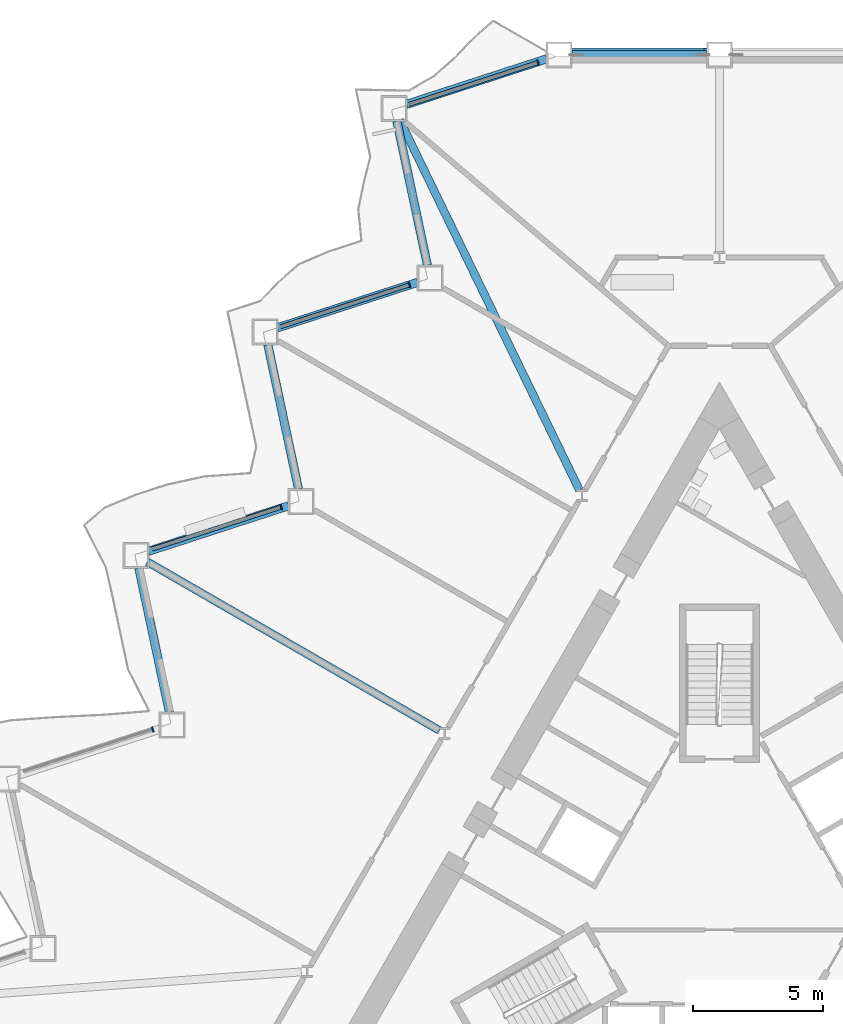
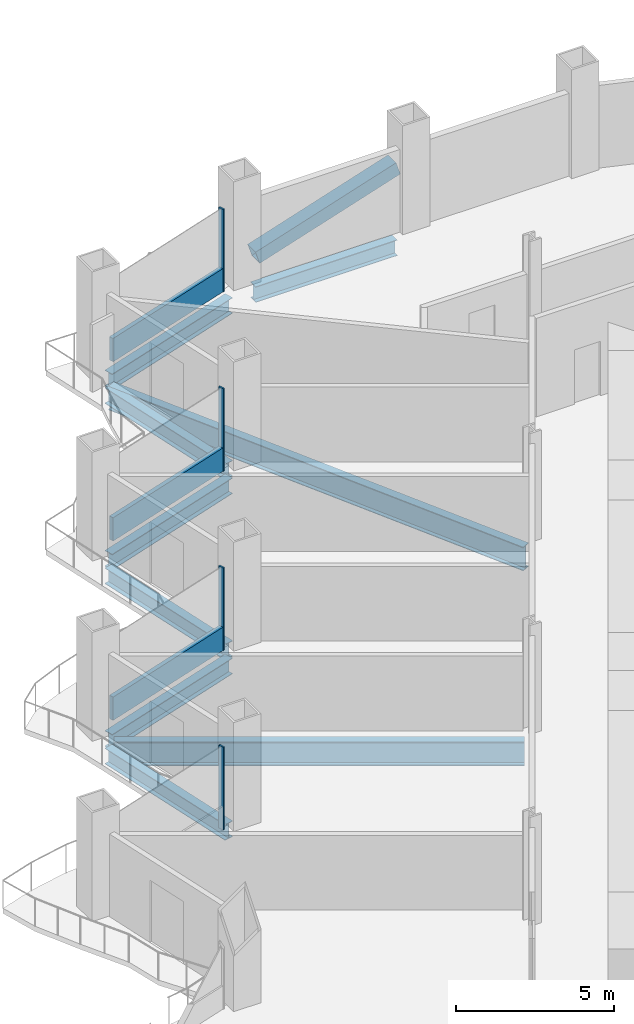
# One storey, part 6 of 21: 9 beams, 8 members, 4 elements without a shape of their own.
"""IFC4 building model written with IfcOpenShell, lengths in metres."""

import ifcopenshell
import ifcopenshell.guid

model = None  # the IFC model being written
_history = None  # IfcOwnerHistory: only IFC2X3 demands one
_inside = {}  # id of a spatial element -> (the spatial element, [elements in it])
_under = {}  # id of a project, library or spatial element -> (it, [spatial elements below it])
_declared = {}  # id of a project -> (the project, [libraries it declares])
_typed = {}  # id of a type object -> (the type object, [elements of that type])
_made_of = {}  # id of a material, layer set ... -> (it, [elements and type objects made of it])


def new_model(schema):
    """Start an empty IFC model of exactly this schema.

    Asked for "IFC4X3", IfcOpenShell would pick the latest addendum, in which some entities
    have other attributes; the version numbers below select the first issue.
    IFC2X3 requires an IfcOwnerHistory on every rooted entity: one is made here for all.
    """
    global model, _history
    if schema == "IFC4X3":
        model = ifcopenshell.file(schema_version=(4, 3, 0, 0))
    else:
        model = ifcopenshell.file(schema=schema)
    _inside.clear()
    _under.clear()
    _declared.clear()
    _typed.clear()
    _made_of.clear()
    _history = None
    if model.schema == "IFC2X3":
        org = make("IfcOrganization", Name="unknown")
        user = make(
            "IfcPersonAndOrganization",
            ThePerson=make("IfcPerson", FamilyName="unknown"),
            TheOrganization=org,
        )
        app = make(
            "IfcApplication",
            ApplicationDeveloper=org,
            Version="unknown",
            ApplicationFullName="unknown",
            ApplicationIdentifier="unknown",
        )
        _history = make(
            "IfcOwnerHistory",
            OwningUser=user,
            OwningApplication=app,
            ChangeAction="ADDED",
            CreationDate=0,
        )
    return model


def make(cls, **values):
    """One entity of the class cls with the attributes given. An attribute that is None is left unset."""
    return model.create_entity(
        cls, **{name: value for name, value in values.items() if value is not None}
    )


def rooted(cls, **values):
    """An entity with a GlobalId (a new one), such as an element, a storey or a relation."""
    return make(cls, GlobalId=ifcopenshell.guid.new(), OwnerHistory=_history, **values)


def si_unit(unit_type, name, prefix=None):
    """IfcSIUnit, for example si_unit("LENGTHUNIT", "METRE", prefix="MILLI")."""
    return make("IfcSIUnit", UnitType=unit_type, Prefix=prefix, Name=name)


def assignment(units):
    """IfcUnitAssignment: the units of a project."""
    return None if units is None else make("IfcUnitAssignment", Units=units)


def point(xyz):
    """IfcCartesianPoint."""
    return None if xyz is None else make("IfcCartesianPoint", Coordinates=xyz)


def direction(xyz):
    """IfcDirection."""
    return None if xyz is None else make("IfcDirection", DirectionRatios=xyz)


def frame(location, z_axis=None, x_axis=None):
    """IfcAxis2Placement3D, a coordinate frame: its origin and axes. An axis left out is left unset."""
    return make(
        "IfcAxis2Placement3D",
        Location=point(location),
        Axis=direction(z_axis),
        RefDirection=direction(x_axis),
    )


def frame_2d(location, x_axis=None):
    """IfcAxis2Placement2D, a coordinate frame in the plane: its origin and x axis."""
    return make(
        "IfcAxis2Placement2D", Location=point(location), RefDirection=direction(x_axis)
    )


def origin():
    """The frame at (0, 0, 0) with its axes left unset."""
    return frame((0.0, 0.0, 0.0))


def origin_2d():
    """The frame at (0, 0) in the plane with its x axis left unset."""
    return frame_2d((0.0, 0.0))


def place(relative_to, where):
    """IfcLocalPlacement: puts the frame where relative to a parent placement (None: the world)."""
    return make(
        "IfcLocalPlacement", PlacementRelTo=relative_to, RelativePlacement=where
    )


def context(
    kind, dimensions, precision=None, world=None, true_north=None, identifier=None
):
    """IfcGeometricRepresentationContext, for example the 3D "Model" context."""
    return make(
        "IfcGeometricRepresentationContext",
        ContextIdentifier=identifier,
        ContextType=kind,
        CoordinateSpaceDimension=dimensions,
        Precision=precision,
        WorldCoordinateSystem=world,
        TrueNorth=true_north,
    )


def subcontext(parent, identifier, kind, view, scale=None):
    """IfcGeometricRepresentationSubContext, for example "Body" below "Model"."""
    return make(
        "IfcGeometricRepresentationSubContext",
        ContextIdentifier=identifier,
        ContextType=kind,
        ParentContext=parent,
        TargetScale=scale,
        TargetView=view,
    )


def project(units=None, contexts=None):
    """IfcProject with its units and contexts."""
    return rooted(
        "IfcProject",
        Name="project",
        RepresentationContexts=contexts,
        UnitsInContext=assignment(units),
    )


def spatial(cls, under=None, at=None, **own):
    """A site, building, storey or space (cls), placed at a placement, below another one or the project."""
    s = rooted(cls, ObjectPlacement=at, **own)
    if under is not None:
        _under.setdefault(under.id(), (under, []))[1].append(s)
    return s


def profile(cls, at=None, kind="AREA", **sizes):
    """A parametric profile (cls). Its sizes go by their IFC names, for example OverallWidth=200.0."""
    return make(cls, ProfileType=kind, Position=at, **sizes)


def rectangle(**sizes):
    """IfcRectangleProfileDef."""
    return profile("IfcRectangleProfileDef", **sizes)


def hollow_rectangle(**sizes):
    """IfcRectangleHollowProfileDef."""
    return profile("IfcRectangleHollowProfileDef", **sizes)


def i_section(**sizes):
    """IfcIShapeProfileDef."""
    return profile("IfcIShapeProfileDef", **sizes)


def extrude(swept, where, along, depth):
    """IfcExtrudedAreaSolid: the profile swept, set in the frame where, extruded along a direction by depth."""
    return make(
        "IfcExtrudedAreaSolid",
        SweptArea=swept,
        Position=where,
        ExtrudedDirection=direction(along),
        Depth=depth,
    )


def shape(context_of_items, identifier, shape_type, items):
    """IfcShapeRepresentation: the items that make up one representation, for example the "Body"."""
    return make(
        "IfcShapeRepresentation",
        ContextOfItems=context_of_items,
        RepresentationIdentifier=identifier,
        RepresentationType=shape_type,
        Items=items,
    )


def material(Name=None, Category=None):
    """IfcMaterial."""
    return make("IfcMaterial", Name=Name, Category=Category)


def layer(
    of_material, thickness, ventilated=None, Name=None, Category=None, Priority=None
):
    """IfcMaterialLayer: one layer of a wall or slab, of a material (None: an air gap)."""
    return make(
        "IfcMaterialLayer",
        Material=of_material,
        LayerThickness=thickness,
        IsVentilated=ventilated,
        Name=Name,
        Category=Category,
        Priority=Priority,
    )


def layer_set(layers, Name=None):
    """IfcMaterialLayerSet."""
    return make("IfcMaterialLayerSet", MaterialLayers=layers, LayerSetName=Name)


def material_profile(
    of_material, cross_section, Name=None, Category=None, Priority=None
):
    """IfcMaterialProfile: a cross section and its material."""
    return make(
        "IfcMaterialProfile",
        Name=Name,
        Material=of_material,
        Profile=cross_section,
        Priority=Priority,
        Category=Category,
    )


def profile_set(profiles, Name=None, composite=None):
    """IfcMaterialProfileSet."""
    return make(
        "IfcMaterialProfileSet",
        Name=Name,
        MaterialProfiles=profiles,
        CompositeProfile=composite,
    )


def made_of(thing, what):
    """Note that an element or type object is made of a material, layer set ...; save() writes the relation."""
    if what is not None:
        _made_of.setdefault(what.id(), (what, []))[1].append(thing)
    return thing


def type_object(cls, material=None, **own):
    """A type object (cls), such as IfcWallType, which elements share."""
    return made_of(rooted(cls, **own), material)


def element(
    cls,
    number,
    at=None,
    inside=None,
    cuts=None,
    type_object=None,
    material=None,
    context=None,
    identifier="Body",
    shape_type=None,
    held_by="IfcProductDefinitionShape",
    body=None,
    shapes=None,
    **own,
):
    """One element of the class cls, such as IfcWall. Its Tag is "e" and its number.

    at: its placement. inside: the storey or other place that contains it. cuts: it is an
    opening in that element (IfcRelVoidsElement). A single representation is given by context,
    identifier, shape_type and body (its items); several are given by shapes. held_by: the class
    of the entity that holds the representations. save() writes the other relations.
    """
    e = rooted(cls, Tag="e%d" % number, ObjectPlacement=at, **own)
    if body is not None:
        shapes = [shape(context, identifier, shape_type, body)]
    if shapes is not None:
        e.Representation = make(held_by, Representations=shapes)
    if inside is not None:
        _inside.setdefault(inside.id(), (inside, []))[1].append(e)
    if cuts is not None:
        rooted(
            "IfcRelVoidsElement", RelatingBuildingElement=cuts, RelatedOpeningElement=e
        )
    if type_object is not None:
        _typed.setdefault(type_object.id(), (type_object, []))[1].append(e)
    return made_of(e, material)


def aggregate(whole, parts):
    """IfcRelAggregates: a whole, such as a stair, and the parts it consists of."""
    return rooted("IfcRelAggregates", RelatingObject=whole, RelatedObjects=parts)


def save(model, path):
    """Write the relations noted so far, then the file.

    IfcRelAggregates (storeys below a building ...), IfcRelContainedInSpatialStructure (elements
    in a storey), IfcRelDefinesByType, IfcRelAssociatesMaterial and IfcRelDeclares: one each for
    every whole, place, type object, material and project.
    """
    for whole, parts in _under.values():
        aggregate(whole, parts)
    for where, things in _inside.values():
        rooted(
            "IfcRelContainedInSpatialStructure",
            RelatedElements=things,
            RelatingStructure=where,
        )
    for kind, things in _typed.values():
        rooted("IfcRelDefinesByType", RelatedObjects=things, RelatingType=kind)
    for what, things in _made_of.values():
        rooted("IfcRelAssociatesMaterial", RelatedObjects=things, RelatingMaterial=what)
    for by, libraries in _declared.values():
        rooted("IfcRelDeclares", RelatingContext=by, RelatedDefinitions=libraries)
    model.write(path)


model = new_model("IFC4")

# Units and contexts
model_context = context("Model", 3, precision=1e-05, world=origin(), true_north=direction((0.0, 1.0)))
body_context = subcontext(model_context, "Body", "Model", "MODEL_VIEW")
ifc_project = project(units=[si_unit("LENGTHUNIT", "METRE"), si_unit("AREAUNIT", "SQUARE_METRE"), si_unit("VOLUMEUNIT", "CUBIC_METRE"), si_unit("PLANEANGLEUNIT", "RADIAN"), si_unit("MASSUNIT", "GRAM", prefix="KILO")], contexts=[model_context])

# Site, building, storey
site_placement = place(None, origin())
site = spatial("IfcSite", under=ifc_project, at=site_placement, CompositionType="ELEMENT")
building_placement = place(site_placement, origin())
building = spatial("IfcBuilding", under=site, at=building_placement, Name="Cormorant Prow Tower", CompositionType="ELEMENT")
storey_placement = place(building_placement, frame((0.0, 0.0, 80.39990234375)))
storey = spatial("IfcBuildingStorey", under=building, at=storey_placement, Name="L17", CompositionType="ELEMENT", Elevation=80.39990234375)

# Member
ifc_material_1 = material(Name="Structural steel ASTM A500 Gr C", Category="steel")
ifc_material_profile_1 = material_profile(ifc_material_1, hollow_rectangle(XDim=0.508056640625, YDim=0.508056640625, WallThickness=0.014892578125, at=origin_2d()), Name="HSS20x20x5/8")
ifc_profile_set_1 = profile_set([ifc_material_profile_1], Name="Structural steel ASTM A500 Gr C")
member_type_1 = type_object("IfcMemberType", Name="Chamfer brace HSS20x20x5/8", PredefinedType="BRACE", material=ifc_profile_set_1)
member_1_placement = place(storey_placement, frame((-5.65087890625, 32.233642578125, 0.767333984375), z_axis=(0.951761092368, 0.0, 0.306840061033), x_axis=(0.0, 1.0, 0.0)))
element("IfcMember", 1, at=member_1_placement, inside=storey, type_object=member_type_1, Name="Chamfer brace BR1 at N01 L17", PredefinedType="BRACE", context=body_context, shape_type="SweptSolid", body=[
    extrude(hollow_rectangle(XDim=0.508056640625, YDim=0.508056640625, WallThickness=0.014892578125, at=origin_2d()), origin(), (0.0, 0.0, 1.0), 5.39208984375),
])

# Curtain wall, member
ifc_material_2 = material(Name="Aluminium 6063-T6", Category="aluminium")
ifc_layer = layer(ifc_material_2, 0.199951171875)
ifc_layer_set = layer_set([ifc_layer], Name="Aluminium 6063-T6")
curtain_wall_type = type_object("IfcCurtainWallType", Name="Office unitised curtain wall 200", PredefinedType="NOTDEFINED", material=ifc_layer_set)
curtain_wall_1_placement = place(storey_placement, origin())
curtain_wall_1 = element("IfcCurtainWall", 2, at=curtain_wall_1_placement, inside=storey, type_object=curtain_wall_type, Name="Office curtain wall WNW00", PredefinedType="NOTDEFINED")
ifc_material_3 = material(Name="Aluminium 6063-T6", Category="aluminium")
ifc_material_profile_2 = material_profile(ifc_material_3, rectangle(XDim=0.199951171875, YDim=0.06005859375, at=origin_2d()), Name="Office mullion 60x200")
ifc_profile_set_2 = profile_set([ifc_material_profile_2], Name="Aluminium 6063-T6")
member_type_2 = type_object("IfcMemberType", Name="Office mullion 60x200", PredefinedType="MULLION", material=ifc_profile_set_2)
member_2_placement = place(storey_placement, frame((-6.994873046875, 31.93310546875, 0.0), z_axis=(0.0, 0.0, 1.0), x_axis=(0.309017039425, -0.951056501658, 0.0)))
member_2 = element("IfcMember", 3, at=member_2_placement, type_object=member_type_2, Name="Office mullion WNW00", PredefinedType="MULLION", context=body_context, shape_type="SweptSolid", body=[
    extrude(rectangle(XDim=0.199951171875, YDim=0.06005859375, at=origin_2d()), origin(), (0.0, 0.0, 1.0), 3.18896484375),
])

curtain_wall_2_placement = place(storey_placement, origin())
curtain_wall_2 = element("IfcCurtainWall", 4, at=curtain_wall_2_placement, inside=storey, type_object=curtain_wall_type, Name="Office curtain wall WNW02", PredefinedType="NOTDEFINED")
member_3_placement = place(storey_placement, frame((-11.935302734375, 23.3759765625, 0.0), z_axis=(0.0, 0.0, 1.0), x_axis=(0.309016859176, -0.951056560224, 0.0)))
member_3 = element("IfcMember", 5, at=member_3_placement, type_object=member_type_2, Name="Office mullion WNW02", PredefinedType="MULLION", context=body_context, shape_type="SweptSolid", body=[
    extrude(rectangle(XDim=0.199951171875, YDim=0.06005859375, at=origin_2d()), origin(), (0.0, 0.0, 1.0), 3.18896484375),
])

curtain_wall_3_placement = place(storey_placement, origin())
curtain_wall_3 = element("IfcCurtainWall", 6, at=curtain_wall_3_placement, inside=storey, type_object=curtain_wall_type, Name="Office curtain wall WNW04", PredefinedType="NOTDEFINED")
member_4_placement = place(storey_placement, frame((-16.875732421875, 14.819091796875, 0.0), z_axis=(0.0, 0.0, 1.0), x_axis=(0.309017039425, -0.951056501658, 0.0)))
member_4 = element("IfcMember", 7, at=member_4_placement, type_object=member_type_2, Name="Office mullion WNW04", PredefinedType="MULLION", context=body_context, shape_type="SweptSolid", body=[
    extrude(rectangle(XDim=0.199951171875, YDim=0.06005859375, at=origin_2d()), origin(), (0.0, 0.0, 1.0), 3.18896484375),
])

curtain_wall_4_placement = place(storey_placement, origin())
curtain_wall_4 = element("IfcCurtainWall", 8, at=curtain_wall_4_placement, inside=storey, type_object=curtain_wall_type, Name="Office curtain wall WNW06", PredefinedType="NOTDEFINED")
member_5_placement = place(storey_placement, frame((-21.816162109375, 6.261962890625, 0.0), z_axis=(0.0, 0.0, 1.0), x_axis=(0.309017039425, -0.951056501658, 0.0)))
member_5 = element("IfcMember", 9, at=member_5_placement, type_object=member_type_2, Name="Office mullion WNW06", PredefinedType="MULLION", context=body_context, shape_type="SweptSolid", body=[
    extrude(rectangle(XDim=0.199951171875, YDim=0.06005859375, at=origin_2d()), origin(), (0.0, 0.0, 1.0), 3.18896484375),
])
aggregate(curtain_wall_4, [member_5])

# Member
ifc_material_4 = material(Name="Terracotta", Category="masonry")
ifc_material_profile_3 = material_profile(ifc_material_4, rectangle(XDim=0.159912109375, YDim=0.89990234375, at=origin_2d()), Name="Office terracotta spandrel rail 160x900")
ifc_profile_set_3 = profile_set([ifc_material_profile_3], Name="Terracotta")
member_type_3 = type_object("IfcMemberType", Name="Office terracotta spandrel rail 160x900", PredefinedType="USERDEFINED", material=ifc_profile_set_3)
member_6_placement = place(storey_placement, frame((-7.0234375, 31.923828125, 0.4501953125), z_axis=(-0.95105864728, -0.309010435801, 0.0), x_axis=(0.309010435801, -0.95105864728, 0.0)))
member_6 = element("IfcMember", 10, at=member_6_placement, type_object=member_type_3, Name="Office spandrel rail WNW00", ObjectType="TRANSOM", PredefinedType="USERDEFINED", context=body_context, shape_type="SweptSolid", body=[
    extrude(rectangle(XDim=0.159912109375, YDim=0.89990234375, at=origin_2d()), origin(), (0.0, 0.0, 1.0), 5.18212890625),
])

aggregate(curtain_wall_1, [member_2, member_6])

member_7_placement = place(storey_placement, frame((-11.9638671875, 23.36669921875, 0.4501953125), z_axis=(-0.95105864728, -0.309010435801, 0.0), x_axis=(0.309010435801, -0.95105864728, 0.0)))
member_7 = element("IfcMember", 11, at=member_7_placement, type_object=member_type_3, Name="Office spandrel rail WNW02", ObjectType="TRANSOM", PredefinedType="USERDEFINED", context=body_context, shape_type="SweptSolid", body=[
    extrude(rectangle(XDim=0.159912109375, YDim=0.89990234375, at=origin_2d()), origin(), (0.0, 0.0, 1.0), 5.18212890625),
])

aggregate(curtain_wall_2, [member_3, member_7])

member_8_placement = place(storey_placement, frame((-16.904296875, 14.809814453125, 0.4501953125), z_axis=(-0.95105864728, -0.309010435801, 0.0), x_axis=(0.309010435801, -0.95105864728, 0.0)))
member_8 = element("IfcMember", 12, at=member_8_placement, type_object=member_type_3, Name="Office spandrel rail WNW04", ObjectType="TRANSOM", PredefinedType="USERDEFINED", context=body_context, shape_type="SweptSolid", body=[
    extrude(rectangle(XDim=0.159912109375, YDim=0.89990234375, at=origin_2d()), origin(), (0.0, 0.0, 1.0), 5.18212890625),
])

aggregate(curtain_wall_3, [member_4, member_8])

# Beams
ifc_material_5 = material(Name="Structural steel ASTM A992 Gr 50", Category="steel")
ifc_material_profile_4 = material_profile(ifc_material_5, i_section(OverallWidth=0.3046875, OverallDepth=0.914794921875, WebThickness=0.0166015625, FlangeThickness=0.02587890625, at=origin_2d()), Name="W36x160")
ifc_profile_set_4 = profile_set([ifc_material_profile_4], Name="Structural steel ASTM A992 Gr 50")
beam_type_1 = type_object("IfcBeamType", Name="Radial floor beam W36x160", PredefinedType="BEAM", material=ifc_profile_set_4)
beam_1_placement = place(storey_placement, frame((-5.390625, 15.4775390625, -0.857177734375), z_axis=(-0.436839436813, 0.899539496879, 0.0), x_axis=(-0.899539496879, -0.436839436813, 0.0)))
element("IfcBeam", 13, at=beam_1_placement, inside=storey, type_object=beam_type_1, Name="Radial floor beam FB1 2 L17", PredefinedType="BEAM", context=body_context, shape_type="SweptSolid", body=[
    extrude(i_section(OverallWidth=0.3046875, OverallDepth=0.914794921875, WebThickness=0.0166015625, FlangeThickness=0.02587890625, at=origin_2d()), origin(), (0.0, 0.0, 1.0), 15.83203125),
])
beam_2_placement = place(storey_placement, frame((-10.779541015625, 6.2236328125, -0.857177734375), z_axis=(-0.866030278318, 0.499991556966, 0.0), x_axis=(-0.499991556966, -0.866030278318, 0.0)))
element("IfcBeam", 14, at=beam_2_placement, inside=storey, type_object=beam_type_1, Name="Radial floor beam FB1 3 L17", PredefinedType="BEAM", context=body_context, shape_type="SweptSolid", body=[
    extrude(i_section(OverallWidth=0.3046875, OverallDepth=0.914794921875, WebThickness=0.0166015625, FlangeThickness=0.02587890625, at=origin_2d()), origin(), (0.0, 0.0, 1.0), 12.984130859375),
])
ifc_material_6 = material(Name="Structural steel ASTM A992 Gr 50", Category="steel")
ifc_material_profile_5 = material_profile(ifc_material_6, i_section(OverallWidth=0.32373046875, OverallDepth=0.611083984375, WebThickness=0.0126953125, FlangeThickness=0.01904296875, at=origin_2d()), Name="W24x104")
ifc_profile_set_5 = profile_set([ifc_material_profile_5], Name="Structural steel ASTM A992 Gr 50")
beam_type_2 = type_object("IfcBeamType", Name="Spandrel beam W24x104", PredefinedType="SPANDREL", material=ifc_profile_set_5)
beam_3_placement = place(storey_placement, frame((-0.5, 32.233642578125, -0.70556640625), z_axis=(-1.0, 0.0, 0.0), x_axis=(0.0, -1.0, 0.0)))
element("IfcBeam", 15, at=beam_3_placement, inside=storey, type_object=beam_type_2, Name="Spandrel beam SB1 N01-WNW00 L17", PredefinedType="SPANDREL", context=body_context, shape_type="SweptSolid", body=[
    extrude(i_section(OverallWidth=0.32373046875, OverallDepth=0.611083984375, WebThickness=0.0126953125, FlangeThickness=0.01904296875, at=origin_2d()), origin(), (0.0, 0.0, 1.0), 5.169677734375),
])
beam_4_placement = place(storey_placement, frame((-6.645263671875, 32.0791015625, -0.70556640625), z_axis=(-0.951061849722, -0.309000579292, 0.0), x_axis=(0.309000579292, -0.951061849722, 0.0)))
element("IfcBeam", 16, at=beam_4_placement, inside=storey, type_object=beam_type_2, Name="Spandrel beam SB1 WNW00-WNW01 L17", PredefinedType="SPANDREL", context=body_context, shape_type="SweptSolid", body=[
    extrude(i_section(OverallWidth=0.32373046875, OverallDepth=0.611083984375, WebThickness=0.0126953125, FlangeThickness=0.01904296875, at=origin_2d()), origin(), (0.0, 0.0, 1.0), 5.682373046875),
])
beam_5_placement = place(storey_placement, frame((-12.421142578125, 29.6796875, -0.70556640625), z_axis=(0.207900376723, -0.97815000555, 0.0), x_axis=(0.97815000555, 0.207900376723, 0.0)))
element("IfcBeam", 17, at=beam_5_placement, inside=storey, type_object=beam_type_2, Name="Spandrel beam SB1 WNW01-WNW02 L17", PredefinedType="SPANDREL", context=body_context, shape_type="SweptSolid", body=[
    extrude(i_section(OverallWidth=0.32373046875, OverallDepth=0.611083984375, WebThickness=0.0126953125, FlangeThickness=0.01904296875, at=origin_2d()), origin(), (0.0, 0.0, 1.0), 5.6826171875),
])
beam_6_placement = place(storey_placement, frame((-11.611328125, 23.477783203125, -0.70556640625), z_axis=(-0.951049222751, -0.309039440696, 0.0), x_axis=(0.309039440696, -0.951049222751, 0.0)))
element("IfcBeam", 18, at=beam_6_placement, inside=storey, type_object=beam_type_2, Name="Spandrel beam SB1 WNW02-WNW03 L17", PredefinedType="SPANDREL", context=body_context, shape_type="SweptSolid", body=[
    extrude(i_section(OverallWidth=0.32373046875, OverallDepth=0.611083984375, WebThickness=0.0126953125, FlangeThickness=0.01904296875, at=origin_2d()), origin(), (0.0, 0.0, 1.0), 5.682373046875),
])
beam_7_placement = place(storey_placement, frame((-17.38720703125, 21.078125, -0.70556640625), z_axis=(0.207900376723, -0.97815000555, 0.0), x_axis=(0.97815000555, 0.207900376723, 0.0)))
element("IfcBeam", 19, at=beam_7_placement, inside=storey, type_object=beam_type_2, Name="Spandrel beam SB1 WNW03-WNW04 L17", PredefinedType="SPANDREL", context=body_context, shape_type="SweptSolid", body=[
    extrude(i_section(OverallWidth=0.32373046875, OverallDepth=0.611083984375, WebThickness=0.0126953125, FlangeThickness=0.01904296875, at=origin_2d()), origin(), (0.0, 0.0, 1.0), 5.6826171875),
])
beam_8_placement = place(storey_placement, frame((-16.577392578125, 14.876220703125, -0.70556640625), z_axis=(-0.951049222751, -0.309039440696, 0.0), x_axis=(0.309039440696, -0.951049222751, 0.0)))
element("IfcBeam", 20, at=beam_8_placement, inside=storey, type_object=beam_type_2, Name="Spandrel beam SB1 WNW04-WNW05 L17", PredefinedType="SPANDREL", context=body_context, shape_type="SweptSolid", body=[
    extrude(i_section(OverallWidth=0.32373046875, OverallDepth=0.611083984375, WebThickness=0.0126953125, FlangeThickness=0.01904296875, at=origin_2d()), origin(), (0.0, 0.0, 1.0), 5.682373046875),
])
beam_9_placement = place(storey_placement, frame((-22.353271484375, 12.4765625, -0.70556640625), z_axis=(0.207900376723, -0.97815000555, 0.0), x_axis=(0.97815000555, 0.207900376723, 0.0)))
element("IfcBeam", 21, at=beam_9_placement, inside=storey, type_object=beam_type_2, Name="Spandrel beam SB1 WNW05-WNW06 L17", PredefinedType="SPANDREL", context=body_context, shape_type="SweptSolid", body=[
    extrude(i_section(OverallWidth=0.32373046875, OverallDepth=0.611083984375, WebThickness=0.0126953125, FlangeThickness=0.01904296875, at=origin_2d()), origin(), (0.0, 0.0, 1.0), 5.6826171875),
])

save(model, "model.ifc")
